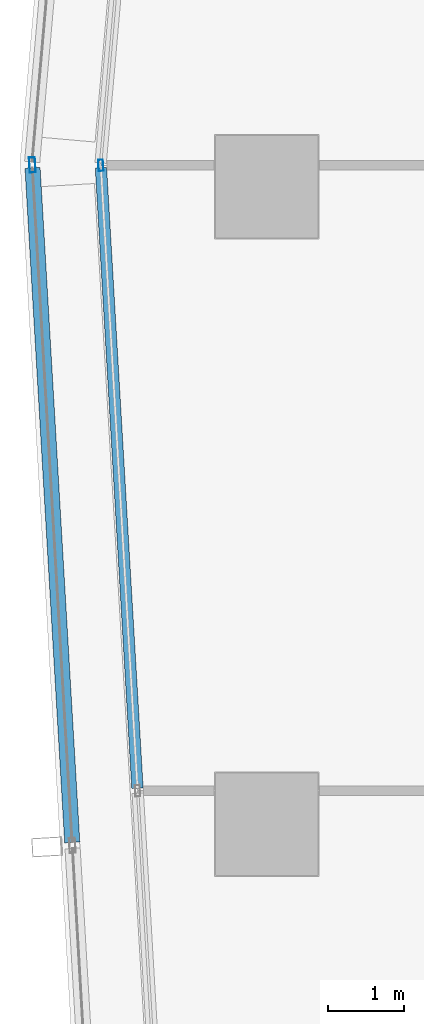
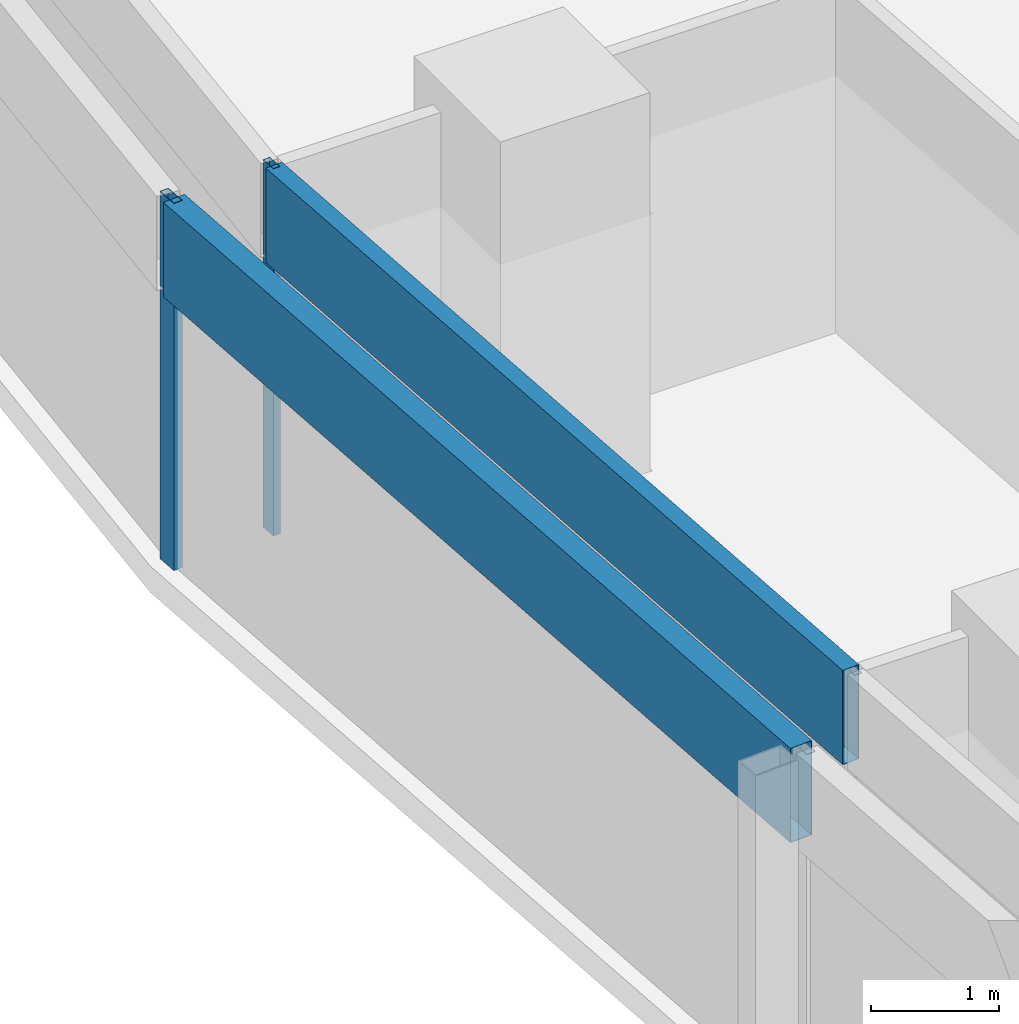
# One storey, part 9 of 38: 4 members, 2 elements without a shape of their own.
"""IFC4 building model written with IfcOpenShell, lengths in metres."""

from ifc_helpers import new_model, si_unit, direction, frame, origin, origin_2d, place, context, subcontext, project, spatial, hollow_rectangle, extrude, material, material_profile, profile_set, type_object, element, aggregate, save


model = new_model("IFC4")

# Units and contexts
model_context = context("Model", 3, precision=1e-05, world=origin(), true_north=direction((0.0, 1.0)))
body_context = subcontext(model_context, "Body", "Model", "MODEL_VIEW")
ifc_project = project(units=[si_unit("LENGTHUNIT", "METRE"), si_unit("AREAUNIT", "SQUARE_METRE"), si_unit("VOLUMEUNIT", "CUBIC_METRE"), si_unit("PLANEANGLEUNIT", "RADIAN"), si_unit("MASSUNIT", "GRAM", prefix="KILO")], contexts=[model_context])

# Site, building, storey
site_placement = place(None, origin())
site = spatial("IfcSite", under=ifc_project, at=site_placement, CompositionType="ELEMENT")
building_placement = place(site_placement, origin())
building = spatial("IfcBuilding", under=site, at=building_placement, Name="Rekha Terrace Tower", CompositionType="ELEMENT")
storey_placement = place(building_placement, frame((0.0, 0.0, 195.199951171875)))
storey = spatial("IfcBuildingStorey", under=building, at=storey_placement, Name="L49", CompositionType="ELEMENT", Elevation=195.199951171875)

# Curtain wall, members
ifc_material_1 = material(Name="Aluminium framing", Category="aluminium")
curtain_wall_type_1 = type_object("IfcCurtainWallType", Name="CW1 double skin inner glazing", PredefinedType="USERDEFINED", material=ifc_material_1)
curtain_wall_1_placement = place(storey_placement, origin())
curtain_wall_1 = element("IfcCurtainWall", 1, at=curtain_wall_1_placement, inside=storey, type_object=curtain_wall_type_1, Name="CW1 double skin inner glazing", ObjectType="DOUBLE SKIN INNER GLAZING", PredefinedType="USERDEFINED")
ifc_material_2 = material(Name="Aluminium mullion section", Category="aluminium")
ifc_material_profile_1 = material_profile(ifc_material_2, hollow_rectangle(XDim=0.06494140625, YDim=0.14990234375, WallThickness=0.00390625, at=origin_2d()), Name="AL RHS 65x150")
ifc_profile_set_1 = profile_set([ifc_material_profile_1], Name="Aluminium mullion section")
member_type_1 = type_object("IfcMemberType", Name="CW1 mullion RHS 65 x 150", PredefinedType="MULLION", material=ifc_profile_set_1)
member_1_placement = place(storey_placement, frame((6.214599609375, 42.281982421875, 0.0), z_axis=(0.0, 0.0, 1.0), x_axis=(0.998271839269, 0.058765082516, 0.0)))
member_1 = element("IfcMember", 2, at=member_1_placement, type_object=member_type_1, Name="CW1 mullion 1", PredefinedType="MULLION", context=body_context, shape_type="SweptSolid", body=[
    extrude(hollow_rectangle(XDim=0.06494140625, YDim=0.14990234375, WallThickness=0.00390625, at=origin_2d()), origin(), (0.0, 0.0, 1.0), 3.5),
])
ifc_material_3 = material(Name="Insulated aluminium spandrel box", Category="aluminium")
ifc_material_profile_2 = material_profile(ifc_material_3, hollow_rectangle(XDim=0.14990234375, YDim=0.89990234375, WallThickness=0.0029296875, at=origin_2d()), Name="AL SPANDREL BOX 150x900")
ifc_profile_set_2 = profile_set([ifc_material_profile_2], Name="Insulated aluminium spandrel box")
member_type_2 = type_object("IfcMemberType", Name="CW1 spandrel transom 150 x 900", PredefinedType="USERDEFINED", material=ifc_profile_set_2)
member_2_placement = place(storey_placement, frame((6.216552734375, 42.24951171875, 3.050048828125), z_axis=(0.058777934282, -0.998271082643, 0.0), x_axis=(0.998271082643, 0.058777934282, 0.0)))
member_2 = element("IfcMember", 3, at=member_2_placement, type_object=member_type_2, Name="CW1 spandrel transom 1", ObjectType="TRANSOM", PredefinedType="USERDEFINED", context=body_context, shape_type="SweptSolid", body=[
    extrude(hollow_rectangle(XDim=0.14990234375, YDim=0.89990234375, WallThickness=0.0029296875, at=origin_2d()), origin(), (0.0, 0.0, 1.0), 8.19091796875),
])
aggregate(curtain_wall_1, [member_1, member_2])

curtain_wall_type_2 = type_object("IfcCurtainWallType", Name="CW2 double skin outer glazing", PredefinedType="USERDEFINED", material=ifc_material_1)
curtain_wall_2_placement = place(storey_placement, origin())
curtain_wall_2 = element("IfcCurtainWall", 4, at=curtain_wall_2_placement, inside=storey, type_object=curtain_wall_type_2, Name="CW2 double skin outer glazing", ObjectType="DOUBLE SKIN OUTER GLAZING", PredefinedType="USERDEFINED")
ifc_material_profile_3 = material_profile(ifc_material_2, hollow_rectangle(XDim=0.080078125, YDim=0.199951171875, WallThickness=0.00390625, at=origin_2d()), Name="AL RHS 80x200")
ifc_profile_set_3 = profile_set([ifc_material_profile_3], Name="Aluminium mullion section")
member_type_3 = type_object("IfcMemberType", Name="CW2 mullion RHS 80 x 200", PredefinedType="MULLION", material=ifc_profile_set_3)
member_3_placement = place(storey_placement, frame((5.312744140625, 42.287841796875, 0.0), z_axis=(0.0, 0.0, 1.0), x_axis=(0.99827183927, 0.058765082499, 0.0)))
member_3 = element("IfcMember", 5, at=member_3_placement, type_object=member_type_3, Name="CW2 mullion 1", PredefinedType="MULLION", context=body_context, shape_type="SweptSolid", body=[
    extrude(hollow_rectangle(XDim=0.080078125, YDim=0.199951171875, WallThickness=0.00390625, at=origin_2d()), origin(), (0.0, 0.0, 1.0), 3.5),
])
ifc_material_profile_4 = material_profile(ifc_material_3, hollow_rectangle(XDim=0.199951171875, YDim=0.89990234375, WallThickness=0.0029296875, at=origin_2d()), Name="AL SPANDREL BOX 200x900")
ifc_profile_set_4 = profile_set([ifc_material_profile_4], Name="Insulated aluminium spandrel box")
member_type_4 = type_object("IfcMemberType", Name="CW2 spandrel transom 200 x 900", PredefinedType="USERDEFINED", material=ifc_profile_set_4)
member_4_placement = place(storey_placement, frame((5.315185546875, 42.247802734375, 3.050048828125), z_axis=(0.058762207171, -0.998272008527, 0.0), x_axis=(0.998272008527, 0.058762207171, 0.0)))
member_4 = element("IfcMember", 6, at=member_4_placement, type_object=member_type_4, Name="CW2 spandrel transom 1", ObjectType="TRANSOM", PredefinedType="USERDEFINED", context=body_context, shape_type="SweptSolid", body=[
    extrude(hollow_rectangle(XDim=0.199951171875, YDim=0.89990234375, WallThickness=0.0029296875, at=origin_2d()), origin(), (0.0, 0.0, 1.0), 8.903564453125),
])
aggregate(curtain_wall_2, [member_3, member_4])

save(model, "model.ifc")
